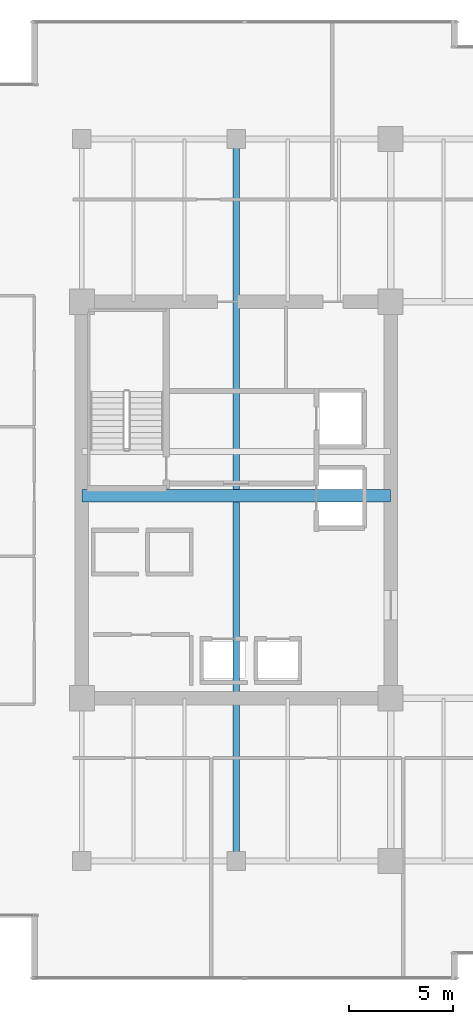
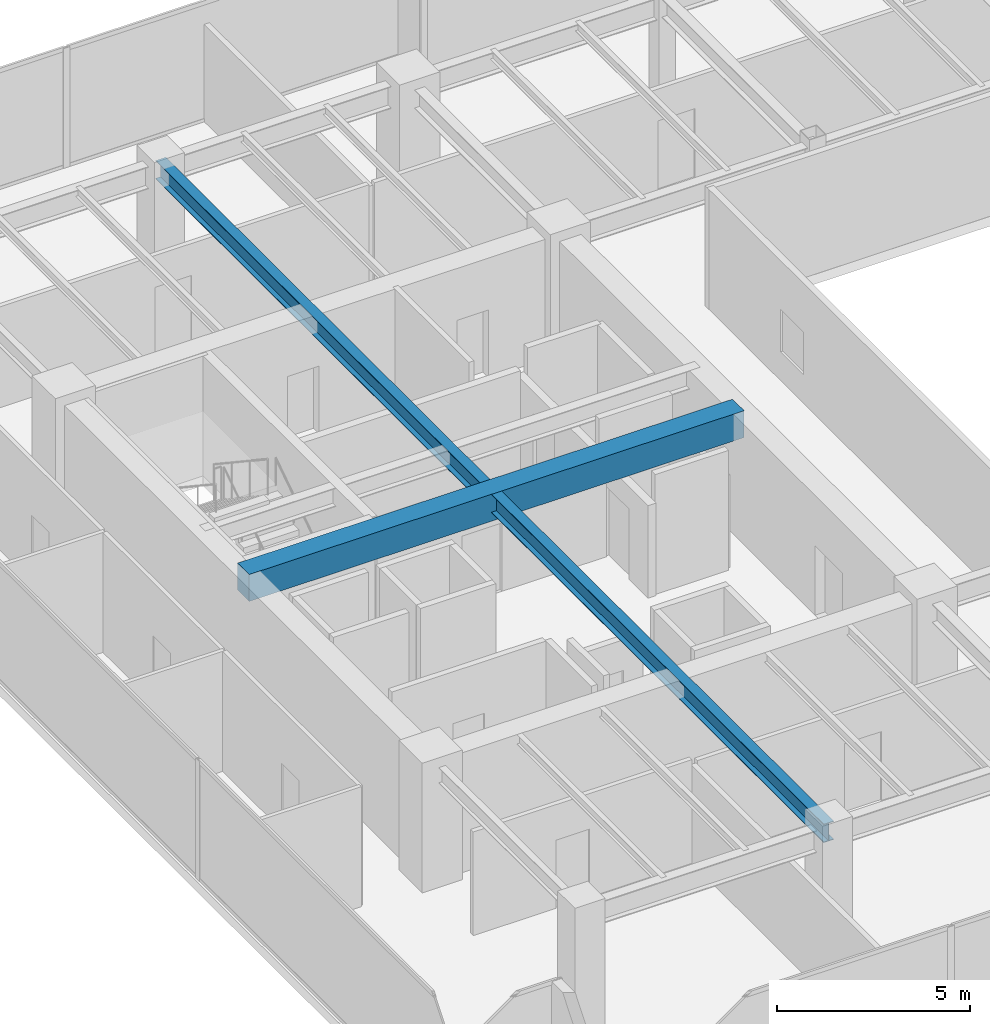
# One storey, part 7 of 30: 2 beams.
"""IFC4 building model written with IfcOpenShell, lengths in metres."""

from ifc_helpers import new_model, si_unit, direction, frame, origin, origin_2d, place, context, subcontext, project, spatial, rectangle, i_section, extrude, source, transform, mapped, material, material_profile, profile_set, type_object, type_shapes, element, save


model = new_model("IFC4")

# Units and contexts
model_context = context("Model", 3, precision=1e-05, world=origin(), true_north=direction((0.0, 1.0)))
body_context = subcontext(model_context, "Body", "Model", "MODEL_VIEW")
ifc_project = project(units=[si_unit("LENGTHUNIT", "METRE"), si_unit("AREAUNIT", "SQUARE_METRE"), si_unit("VOLUMEUNIT", "CUBIC_METRE"), si_unit("PLANEANGLEUNIT", "RADIAN"), si_unit("MASSUNIT", "GRAM", prefix="KILO")], contexts=[model_context])

# Site, building, storey
site_placement = place(None, origin())
site = spatial("IfcSite", under=ifc_project, at=site_placement, CompositionType="ELEMENT")
building_placement = place(site_placement, origin())
building = spatial("IfcBuilding", under=site, at=building_placement, Name="Haelvirn Gate Laboratories", CompositionType="ELEMENT")
storey_placement = place(building_placement, frame((0.0, 0.0, 162.5)))
storey = spatial("IfcBuildingStorey", under=building, at=storey_placement, Name="L39", CompositionType="ELEMENT", Elevation=162.5)

# Beams
ifc_material_1 = material(Name="Steel SM355", Category="steel")
ifc_material_profile_1 = material_profile(ifc_material_1, i_section(OverallWidth=0.300048828125, OverallDepth=0.587890625, WebThickness=0.011962890625, FlangeThickness=0.02001953125, at=origin_2d()), Name="H-588x300x12x20")
ifc_profile_set_1 = profile_set([ifc_material_profile_1], Name="Steel SM355")
beam_type_1 = type_object("IfcBeamType", Name="BM-G-588", PredefinedType="BEAM", material=ifc_profile_set_1)
shared_shape_1 = source(origin(), body_context, "Body", "SweptSolid", [
    extrude(i_section(OverallWidth=0.300048828125, OverallDepth=0.587890625, WebThickness=0.011962890625, FlangeThickness=0.02001953125, at=origin_2d()), origin(), (0.0, 0.0, 1.0), 34.60009765625),
])
type_shapes(beam_type_1, [shared_shape_1])
beam_1_placement = place(storey_placement, frame((14.800048828125, 7.0, 3.49609375), z_axis=(0.0, 1.0, 0.0), x_axis=(-1.0, 0.0, 0.0)))
element("IfcBeam", 1, at=beam_1_placement, inside=storey, type_object=beam_type_1, Name="L39 Frame Girder X14.8 (7.0-41.6)", PredefinedType="BEAM", context=body_context, shape_type="MappedRepresentation", body=[
    mapped(shared_shape_1, transform((0.0, 0.0, 0.0), scale=1.0)),
])
ifc_material_2 = material(Name="Concrete C50/60", Category="concrete")
ifc_material_profile_2 = material_profile(ifc_material_2, rectangle(XDim=0.60009765625, YDim=0.85009765625, at=origin_2d()), Name="RCB-600x850")
ifc_profile_set_2 = profile_set([ifc_material_profile_2], Name="Concrete C50/60")
beam_type_2 = type_object("IfcBeamType", Name="BM-RCB-850", PredefinedType="LINTEL", material=ifc_profile_set_2)
shared_shape_2 = source(origin(), body_context, "Body", "SweptSolid", [
    extrude(rectangle(XDim=0.60009765625, YDim=0.85009765625, at=origin_2d()), origin(), (0.0, 0.0, 1.0), 14.800048828125),
])
type_shapes(beam_type_2, [shared_shape_2])
beam_2_placement = place(storey_placement, frame((7.39990234375, 24.5, 3.364990234375), z_axis=(1.0, 0.0, 0.0), x_axis=(0.0, 1.0, 0.0)))
element("IfcBeam", 2, at=beam_2_placement, inside=storey, type_object=beam_type_2, Name="L39 West Core Coupling Beam", PredefinedType="LINTEL", context=body_context, shape_type="MappedRepresentation", body=[
    mapped(shared_shape_2, transform((0.0, 0.0, 0.0), scale=1.0)),
])

save(model, "model.ifc")
